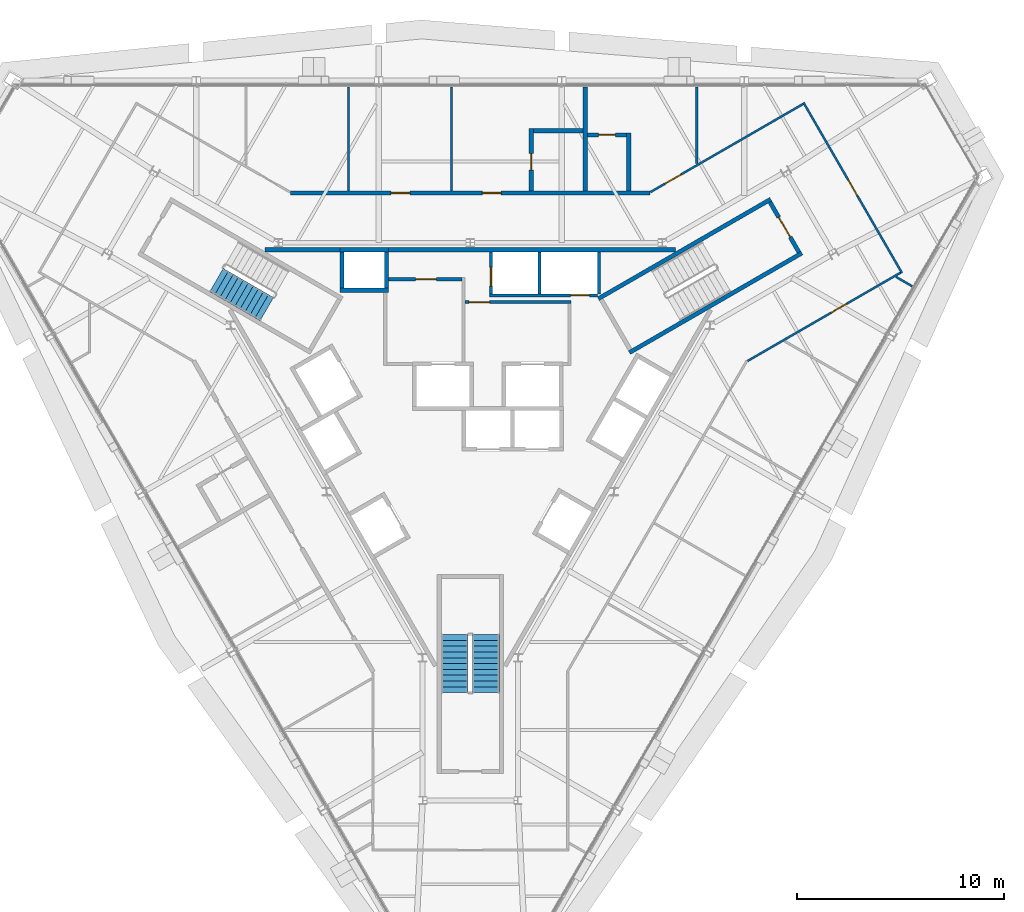
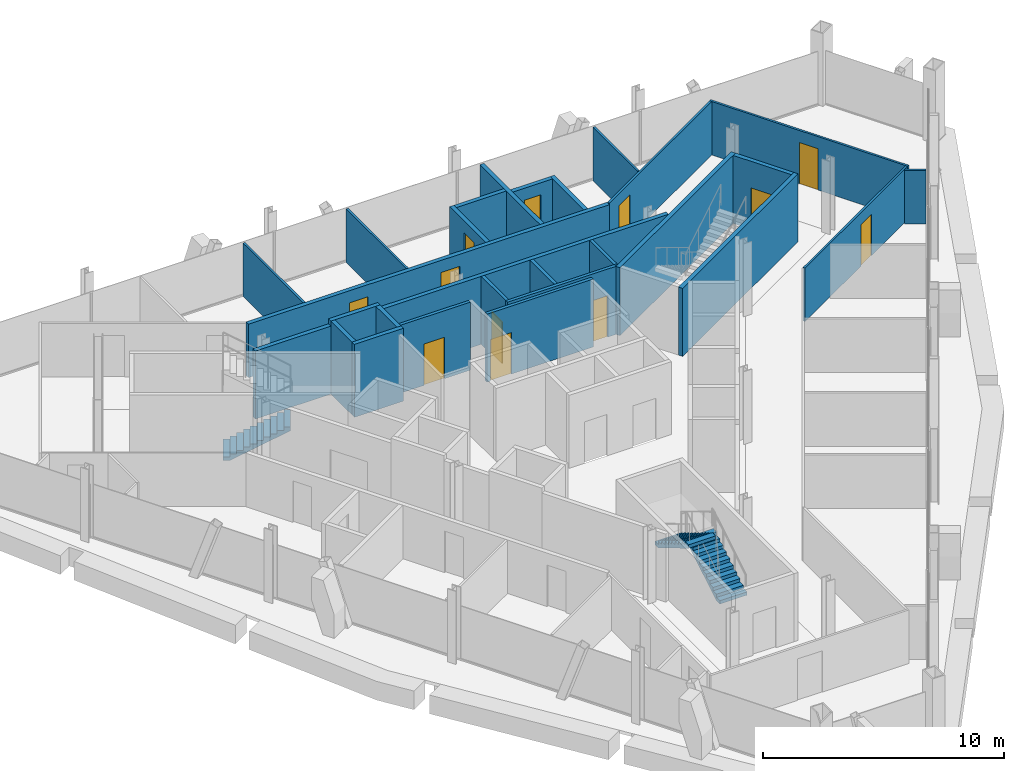
# One storey, part 11 of 14: 28 walls, 12 doors, 3 stair flights, 12 openings, 2 elements without a shape of their own.
"""IFC4 building model written with IfcOpenShell, lengths in metres."""

from ifc_helpers import new_model, si_unit, direction, frame, frame_2d, origin, place, context, subcontext, project, spatial, polyline, rectangle, outline, extrude, material, layer, layer_set, type_object, element, fill, aggregate, save


model = new_model("IFC4")

# Units and contexts
model_context = context("Model", 3, precision=1e-05, world=origin(), true_north=direction((0.0, 1.0)))
body_context = subcontext(model_context, "Body", "Model", "MODEL_VIEW")
ifc_project = project(units=[si_unit("LENGTHUNIT", "METRE"), si_unit("AREAUNIT", "SQUARE_METRE"), si_unit("VOLUMEUNIT", "CUBIC_METRE"), si_unit("PLANEANGLEUNIT", "RADIAN"), si_unit("MASSUNIT", "GRAM", prefix="KILO")], contexts=[model_context])

# Site, building, storey
site_placement = place(None, origin())
site = spatial("IfcSite", under=ifc_project, at=site_placement, CompositionType="ELEMENT")
building_placement = place(site_placement, origin())
building = spatial("IfcBuilding", under=site, at=building_placement, Name="Verrane Prism Tower", CompositionType="ELEMENT")
storey_placement = place(building_placement, frame((0.0, 0.0, 221.199951171875)))
storey = spatial("IfcBuildingStorey", under=building, at=storey_placement, Name="L55", CompositionType="ELEMENT", Elevation=221.199951171875)

# Walls
ifc_material_1 = material(Name="Gypsum board partition", Category="other")
ifc_layer_1 = layer(ifc_material_1, 0.199951171875)
ifc_layer_set_1 = layer_set([ifc_layer_1], Name="CW-200 core boundary wall 2 h")
wall_type_1 = type_object("IfcWallType", Name="CW-200 core boundary wall 2 h", PredefinedType="PARTITIONING", material=ifc_layer_set_1)
wall_1_placement = place(storey_placement, frame((-9.907958984375, 7.659912109375, 0.0), z_axis=(0.0, 0.0, 1.0), x_axis=(1.0, 0.0, 0.0)))
element("IfcWall", 1, at=wall_1_placement, inside=storey, type_object=wall_type_1, Name="Core boundary wall CW3-002", PredefinedType="PARTITIONING", context=body_context, shape_type="SweptSolid", body=[
    extrude(rectangle(XDim=3.620849609375, YDim=0.199951171875, at=frame_2d((1.810546875, 0.0))), origin(), (0.0, 0.0, 1.0), 3.449951171875),
])
wall_2_placement = place(storey_placement, frame((-3.93310546875, 7.659912109375, 0.0), z_axis=(0.0, 0.0, 1.0), x_axis=(1.0, 0.0, 0.0)))
element("IfcWall", 2, at=wall_2_placement, inside=storey, type_object=wall_type_1, Name="Core boundary wall CW3-005", PredefinedType="PARTITIONING", context=body_context, shape_type="SweptSolid", body=[
    extrude(rectangle(XDim=13.841064453125, YDim=0.199951171875, at=frame_2d((6.92041015625, 0.0))), origin(), (0.0, 0.0, 1.0), 3.449951171875),
])

# Wall, opening, door
ifc_material_2 = material(Name="Concrete C40/50", Category="concrete")
ifc_layer_2 = layer(ifc_material_2, 0.199951171875)
ifc_layer_set_2 = layer_set([ifc_layer_2], Name="CW-200 stair core wall concrete C40/50 3 h")
wall_type_2 = type_object("IfcWallType", Name="CW-200 stair core wall concrete C40/50 3 h", PredefinedType="PARTITIONING", material=ifc_layer_set_2)
wall_3_placement = place(storey_placement, frame((15.85546875, 7.53759765625, 0.0), z_axis=(0.0, 0.0, 1.0), x_axis=(-0.500049511043, 0.865996816683, 0.0)))
wall_3 = element("IfcWall", 3, at=wall_3_placement, inside=storey, type_object=wall_type_2, Name="Stair 1 enclosure wall", PredefinedType="PARTITIONING", context=body_context, shape_type="SweptSolid", body=[
    extrude(rectangle(XDim=2.800048828125, YDim=0.199951171875, at=frame_2d((1.39990234375, 0.0))), origin(), (0.0, 0.0, 1.0), 3.449951171875),
])
opening_1_placement = place(wall_3_placement, frame((0.849853515625, 0.0, 0.0)))
opening_1 = element("IfcOpeningElement", 4, at=opening_1_placement, cuts=wall_3, Name="Opening D54500", PredefinedType="OPENING", context=body_context, shape_type="SweptSolid", body=[
    extrude(rectangle(XDim=1.10009765625, YDim=2.10009765625, at=frame_2d((0.550048828125, 1.050048828125))), frame((0.0, 0.10986328125, 0.0), z_axis=(0.0, -1.0, 0.0), x_axis=(1.0, 0.0, 0.0)), (0.0, 0.0, 1.0), 0.219970703125),
])
ifc_material_3 = material(Name="Timber veneered door leaf", Category="wood")
door_type_1 = type_object("IfcDoorType", Name="DR-1100x2100 FD90 single leaf stair", OperationType="NOTDEFINED", PredefinedType="DOOR", material=ifc_material_3)
door_1_placement = place(opening_1_placement, origin())
door_1 = element("IfcDoor", 5, at=door_1_placement, inside=storey, type_object=door_type_1, Name="Stair 1 door", OperationType="SINGLE_SWING_LEFT", OverallHeight=2.10009765625, OverallWidth=1.10009765625, PredefinedType="DOOR", context=body_context, shape_type="SweptSolid", body=[
    extrude(rectangle(XDim=1.10009765625, YDim=2.10009765625, at=frame_2d((0.550048828125, 1.050048828125))), frame((0.0, 0.02490234375, 0.0), z_axis=(0.0, -1.0, 0.0), x_axis=(1.0, 0.0, 0.0)), (0.0, 0.0, 1.0), 0.050048828125),
])
fill(opening_1, door_1)

# Walls
for number, where, z_axis, x_axis, name in (
    (6, (6.17822265625, 5.299072265625, 0.0), (0.0, 0.0, 1.0), (0.866019993635, 0.500009370536, 0.0), "Stair 1 enclosure wall"),
    (7, (7.67822265625, 2.700927734375, 0.0), (0.0, 0.0, 1.0), (0.866019993635, 0.500009370536, 0.0), "Stair 1 enclosure wall"),
):
    element("IfcWall", number, at=place(storey_placement, frame(where, z_axis=z_axis, x_axis=x_axis)), inside=storey, type_object=wall_type_2, Name=name, PredefinedType="PARTITIONING", context=body_context, shape_type="SweptSolid", body=[
        extrude(rectangle(XDim=9.599853515625, YDim=0.199951171875, at=frame_2d((4.7998046875, 0.0))), origin(), (0.0, 0.0, 1.0), 3.449951171875),
    ])
ifc_material_4 = material(Name="Gypsum board shaft wall assembly", Category="other")
ifc_layer_3 = layer(ifc_material_4, 0.199951171875)
ifc_layer_set_3 = layer_set([ifc_layer_3], Name="HW-200 lift shaft wall 2 h")
wall_type_3 = type_object("IfcWallType", Name="HW-200 lift shaft wall 2 h", PredefinedType="PARTITIONING", material=ifc_layer_set_3)
for number, where, z_axis, x_axis, name in (
    (8, (-6.284912109375, 5.7099609375, 0.0), (0.0, 0.0, 1.0), (1.0, 0.0, 0.0), "Lift shaft wall"),
    (9, (-6.284912109375, 7.659912109375, 0.0), (0.0, 0.0, 1.0), (1.0, 0.0, 0.0), "Lift shaft wall"),
):
    element("IfcWall", number, at=place(storey_placement, frame(where, z_axis=z_axis, x_axis=x_axis)), inside=storey, type_object=wall_type_3, Name=name, PredefinedType="PARTITIONING", context=body_context, shape_type="SweptSolid", body=[
        extrude(rectangle(XDim=2.349853515625, YDim=0.199951171875, at=frame_2d((1.1748046875, 0.0))), origin(), (0.0, 0.0, 1.0), 3.699951171875),
    ])
for number, where, z_axis, x_axis, name in (
    (10, (-4.034912109375, 5.81005859375, 0.0), (0.0, 0.0, 1.0), (0.0, 1.0, 0.0), "Lift shaft wall"),
    (11, (-6.18505859375, 5.81005859375, 0.0), (0.0, 0.0, 1.0), (0.0, 1.0, 0.0), "Lift shaft wall"),
):
    element("IfcWall", number, at=place(storey_placement, frame(where, z_axis=z_axis, x_axis=x_axis)), inside=storey, type_object=wall_type_3, Name=name, PredefinedType="PARTITIONING", context=body_context, shape_type="SweptSolid", body=[
        extrude(rectangle(XDim=1.75, YDim=0.199951171875, at=frame_2d((0.875, 0.0))), origin(), (0.0, 0.0, 1.0), 3.699951171875),
    ])

# Wall, opening, door
ifc_material_5 = material(Name="Gypsum board partition", Category="other")
ifc_layer_4 = layer(ifc_material_5, 0.14990234375)
ifc_layer_set_4 = layer_set([ifc_layer_4], Name="LF-150 firefighting lobby wall 1 h")
wall_type_4 = type_object("IfcWallType", Name="LF-150 firefighting lobby wall 1 h", PredefinedType="PARTITIONING", material=ifc_layer_set_4)
wall_4_placement = place(storey_placement, frame((-3.93310546875, 6.239990234375, 0.0), z_axis=(0.0, 0.0, 1.0), x_axis=(1.0, 0.0, 0.0)))
wall_4 = element("IfcWall", 12, at=wall_4_placement, inside=storey, type_object=wall_type_4, Name="Firefighting lobby wall LF1-003", PredefinedType="PARTITIONING", context=body_context, shape_type="SweptSolid", body=[
    extrude(rectangle(XDim=3.5380859375, YDim=0.14990234375, at=frame_2d((1.76904296875, 0.0))), origin(), (0.0, 0.0, 1.0), 3.449951171875),
])
opening_2_placement = place(wall_4_placement, frame((1.300048828125, 0.0, 0.0)))
opening_2 = element("IfcOpeningElement", 13, at=opening_2_placement, cuts=wall_4, Name="Opening D54511", PredefinedType="OPENING", context=body_context, shape_type="SweptSolid", body=[
    extrude(rectangle(XDim=1.0, YDim=2.10009765625, at=frame_2d((0.5, 1.050048828125))), frame((0.0, 0.0849609375, 0.0), z_axis=(0.0, -1.0, 0.0), x_axis=(1.0, 0.0, 0.0)), (0.0, 0.0, 1.0), 0.169921875),
])
ifc_material_6 = material(Name="Timber veneered door leaf", Category="wood")
door_type_2 = type_object("IfcDoorType", Name="DR-1000x2100 FD60 single leaf firefighting lobby", OperationType="NOTDEFINED", PredefinedType="DOOR", material=ifc_material_6)
door_2_placement = place(opening_2_placement, origin())
door_2 = element("IfcDoor", 14, at=door_2_placement, inside=storey, type_object=door_type_2, Name="Firefighting lobby door D54511", OperationType="SINGLE_SWING_LEFT", OverallHeight=2.10009765625, OverallWidth=1.0, PredefinedType="DOOR", context=body_context, shape_type="SweptSolid", body=[
    extrude(rectangle(XDim=1.0, YDim=2.10009765625, at=frame_2d((0.5, 1.050048828125))), frame((0.0, 0.02490234375, 0.0), z_axis=(0.0, -1.0, 0.0), x_axis=(1.0, 0.0, 0.0)), (0.0, 0.0, 1.0), 0.050048828125),
])
fill(opening_2, door_2)

wall_5_placement = place(storey_placement, frame((-0.2451171875, 5.139892578125, 0.0), z_axis=(0.0, 0.0, 1.0), x_axis=(1.0, 0.0, 0.0)))
wall_5 = element("IfcWall", 15, at=wall_5_placement, inside=storey, type_object=wall_type_4, Name="Firefighting lobby wall LF1-005", PredefinedType="PARTITIONING", context=body_context, shape_type="SweptSolid", body=[
    extrude(rectangle(XDim=5.110107421875, YDim=0.14990234375, at=frame_2d((2.55517578125, 0.0))), origin(), (0.0, 0.0, 1.0), 3.449951171875),
])
opening_3_placement = place(wall_5_placement, frame((0.175048828125, 0.0, 0.0)))
opening_3 = element("IfcOpeningElement", 16, at=opening_3_placement, cuts=wall_5, Name="Opening D54512", PredefinedType="OPENING", context=body_context, shape_type="SweptSolid", body=[
    extrude(rectangle(XDim=1.0, YDim=2.10009765625, at=frame_2d((0.5, 1.050048828125))), frame((0.0, 0.0849609375, 0.0), z_axis=(0.0, -1.0, 0.0), x_axis=(1.0, 0.0, 0.0)), (0.0, 0.0, 1.0), 0.169921875),
])
door_3_placement = place(opening_3_placement, origin())
door_3 = element("IfcDoor", 17, at=door_3_placement, inside=storey, type_object=door_type_2, Name="Firefighting lobby door D54512", OperationType="SINGLE_SWING_LEFT", OverallHeight=2.10009765625, OverallWidth=1.0, PredefinedType="DOOR", context=body_context, shape_type="SweptSolid", body=[
    extrude(rectangle(XDim=1.0, YDim=2.10009765625, at=frame_2d((0.5, 1.050048828125))), frame((0.0, 0.02490234375, 0.0), z_axis=(0.0, -1.0, 0.0), x_axis=(1.0, 0.0, 0.0)), (0.0, 0.0, 1.0), 0.050048828125),
])
fill(opening_3, door_3)

# Walls
ifc_material_7 = material(Name="Gypsum board partition", Category="other")
ifc_layer_5 = layer(ifc_material_7, 0.10009765625)
ifc_layer_set_5 = layer_set([ifc_layer_5], Name="PW-100 room partition")
wall_type_5 = type_object("IfcWallType", Name="PW-100 room partition", PredefinedType="PARTITIONING", material=ifc_layer_set_5)
for number, where, z_axis, x_axis, name in (
    (18, (-5.865966796875, 10.5, 0.0), (0.0, 0.0, 1.0), (0.0, 1.0, 0.0), "Room partition 016"),
    (19, (-0.9150390625, 10.5, 0.0), (0.0, 0.0, 1.0), (0.0, 1.0, 0.0), "Room partition 022"),
):
    element("IfcWall", number, at=place(storey_placement, frame(where, z_axis=z_axis, x_axis=x_axis)), inside=storey, type_object=wall_type_5, Name=name, PredefinedType="PARTITIONING", context=body_context, shape_type="SweptSolid", body=[
        extrude(rectangle(XDim=5.006103515625, YDim=0.10009765625, at=frame_2d((2.5029296875, 0.0))), origin(), (0.0, 0.0, 1.0), 2.713134765625),
    ])

# Wall, opening, door
wall_6_placement = place(storey_placement, frame((8.690673828125, 10.4423828125, 0.0), z_axis=(0.0, 0.0, 1.0), x_axis=(0.866070360466, 0.499922124658, 0.0)))
wall_6 = element("IfcWall", 20, at=wall_6_placement, inside=storey, type_object=wall_type_5, Name="Room partition 032", PredefinedType="PARTITIONING", context=body_context, shape_type="SweptSolid", body=[
    extrude(rectangle(XDim=8.502685546875, YDim=0.10009765625, at=frame_2d((4.25146484375, 0.0))), origin(), (0.0, 0.0, 1.0), 2.713134765625),
])
opening_4_placement = place(wall_6_placement, frame((0.81494140625, 0.0, 0.0)))
opening_4 = element("IfcOpeningElement", 21, at=opening_4_placement, cuts=wall_6, Name="Opening D54007", PredefinedType="OPENING", context=body_context, shape_type="SweptSolid", body=[
    extrude(rectangle(XDim=0.89990234375, YDim=2.10009765625, at=frame_2d((0.449951171875, 1.050048828125))), frame((0.0, 0.06005859375, 0.0), z_axis=(0.0, -1.0, 0.0), x_axis=(1.0, 0.0, 0.0)), (0.0, 0.0, 1.0), 0.1201171875),
])
ifc_material_8 = material(Name="Timber veneered door leaf", Category="wood")
door_type_3 = type_object("IfcDoorType", Name="DR-900x2100 single leaf inner", OperationType="NOTDEFINED", PredefinedType="DOOR", material=ifc_material_8)
door_4_placement = place(opening_4_placement, origin())
door_4 = element("IfcDoor", 22, at=door_4_placement, inside=storey, type_object=door_type_3, Name="Bedroom door", OperationType="SINGLE_SWING_LEFT", OverallHeight=2.10009765625, OverallWidth=0.89990234375, PredefinedType="DOOR", context=body_context, shape_type="SweptSolid", body=[
    extrude(rectangle(XDim=0.89990234375, YDim=2.10009765625, at=frame_2d((0.449951171875, 1.050048828125))), frame((0.0, 0.02490234375, 0.0), z_axis=(0.0, -1.0, 0.0), x_axis=(1.0, 0.0, 0.0)), (0.0, 0.0, 1.0), 0.050048828125),
])
fill(opening_4, door_4)

# Wall
wall_7_placement = place(storey_placement, frame((10.925048828125, 11.818603515625, 0.0), z_axis=(0.0, 0.0, 1.0), x_axis=(0.0, 1.0, 0.0)))
element("IfcWall", 23, at=wall_7_placement, inside=storey, type_object=wall_type_5, Name="Room partition 034", PredefinedType="PARTITIONING", context=body_context, shape_type="SweptSolid", body=[
    extrude(rectangle(XDim=3.6875, YDim=0.10009765625, at=frame_2d((1.84375, 0.0))), origin(), (0.0, 0.0, 1.0), 2.713134765625),
])

# Wall, opening, door
wall_8_placement = place(storey_placement, frame((20.755615234375, 6.556884765625, 0.0), z_axis=(0.0, 0.0, 1.0), x_axis=(-0.866069146081, -0.499924228466, 0.0)))
wall_8 = element("IfcWall", 24, at=wall_8_placement, inside=storey, type_object=wall_type_5, Name="Room partition 036", PredefinedType="PARTITIONING", context=body_context, shape_type="SweptSolid", body=[
    extrude(rectangle(XDim=8.518798828125, YDim=0.10009765625, at=frame_2d((4.25927734375, 0.0))), origin(), (0.0, 0.0, 1.0), 2.713134765625),
])
opening_5_placement = place(wall_8_placement, frame((2.986083984375, 0.0, 0.0)))
opening_5 = element("IfcOpeningElement", 25, at=opening_5_placement, cuts=wall_8, Name="Opening D54005", PredefinedType="OPENING", context=body_context, shape_type="SweptSolid", body=[
    extrude(rectangle(XDim=0.89990234375, YDim=2.10009765625, at=frame_2d((0.449951171875, 1.050048828125))), frame((0.0, 0.06005859375, 0.0), z_axis=(0.0, -1.0, 0.0), x_axis=(1.0, 0.0, 0.0)), (0.0, 0.0, 1.0), 0.1201171875),
])
ifc_material_9 = material(Name="Timber veneered door leaf", Category="wood")
door_type_4 = type_object("IfcDoorType", Name="DR-900x2100 single leaf unit", OperationType="NOTDEFINED", PredefinedType="DOOR", material=ifc_material_9)
door_5_placement = place(opening_5_placement, origin())
door_5 = element("IfcDoor", 26, at=door_5_placement, inside=storey, type_object=door_type_4, Name="Study door", OperationType="SINGLE_SWING_RIGHT", OverallHeight=2.10009765625, OverallWidth=0.89990234375, PredefinedType="DOOR", context=body_context, shape_type="SweptSolid", body=[
    extrude(rectangle(XDim=0.89990234375, YDim=2.10009765625, at=frame_2d((0.449951171875, 1.050048828125))), frame((0.0, 0.02490234375, 0.0), z_axis=(0.0, -1.0, 0.0), x_axis=(1.0, 0.0, 0.0)), (0.0, 0.0, 1.0), 0.050048828125),
])
fill(opening_5, door_5)

wall_9_placement = place(storey_placement, frame((16.072998046875, 14.76123046875, 0.0), z_axis=(0.0, 0.0, 1.0), x_axis=(0.500297300687, -0.865853689098, 0.0)))
wall_9 = element("IfcWall", 27, at=wall_9_placement, inside=storey, type_object=wall_type_5, Name="Room partition 038", PredefinedType="PARTITIONING", context=body_context, shape_type="SweptSolid", body=[
    extrude(rectangle(XDim=9.496337890625, YDim=0.10009765625, at=frame_2d((4.748046875, 0.0))), origin(), (0.0, 0.0, 1.0), 2.713134765625),
])
opening_6_placement = place(wall_9_placement, frame((4.300048828125, 0.0, 0.0)))
opening_6 = element("IfcOpeningElement", 28, at=opening_6_placement, cuts=wall_9, Name="Opening D54006", PredefinedType="OPENING", context=body_context, shape_type="SweptSolid", body=[
    extrude(rectangle(XDim=0.89990234375, YDim=2.10009765625, at=frame_2d((0.449951171875, 1.050048828125))), frame((0.0, 0.06005859375, 0.0), z_axis=(0.0, -1.0, 0.0), x_axis=(1.0, 0.0, 0.0)), (0.0, 0.0, 1.0), 0.1201171875),
])
door_6_placement = place(opening_6_placement, origin())
door_6 = element("IfcDoor", 29, at=door_6_placement, inside=storey, type_object=door_type_4, Name="Kitchen door", OperationType="SINGLE_SWING_RIGHT", OverallHeight=2.10009765625, OverallWidth=0.89990234375, PredefinedType="DOOR", context=body_context, shape_type="SweptSolid", body=[
    extrude(rectangle(XDim=0.89990234375, YDim=2.10009765625, at=frame_2d((0.449951171875, 1.050048828125))), frame((0.0, 0.02490234375, 0.0), z_axis=(0.0, -1.0, 0.0), x_axis=(1.0, 0.0, 0.0)), (0.0, 0.0, 1.0), 0.050048828125),
])
fill(opening_6, door_6)

# Wall
wall_10_placement = place(storey_placement, frame((20.54296875, 6.34765625, 0.0), z_axis=(0.0, 0.0, 1.0), x_axis=(0.865952303503, -0.500126592033, 0.0)))
element("IfcWall", 30, at=wall_10_placement, inside=storey, type_object=wall_type_5, Name="Room partition 039", PredefinedType="PARTITIONING", context=body_context, shape_type="SweptSolid", body=[
    extrude(rectangle(XDim=0.888916015625, YDim=0.10009765625, at=frame_2d((0.4443359375, 0.0))), origin(), (0.0, 0.0, 1.0), 2.713134765625),
])

# Wall, openings, doors
ifc_material_10 = material(Name="Gypsum board partition", Category="other")
ifc_layer_6 = layer(ifc_material_10, 0.199951171875)
ifc_layer_set_6 = layer_set([ifc_layer_6], Name="PW-200 plumbing wall")
wall_type_6 = type_object("IfcWallType", Name="PW-200 plumbing wall", PredefinedType="PARTITIONING", material=ifc_layer_set_6)
wall_11_placement = place(storey_placement, frame((-8.6669921875, 10.39990234375, 0.0), z_axis=(0.0, 0.0, 1.0), x_axis=(1.0, 0.0, 0.0)))
wall_11 = element("IfcWall", 31, at=wall_11_placement, inside=storey, type_object=wall_type_6, Name="Plumbing wall 014", PredefinedType="PARTITIONING", context=body_context, shape_type="SweptSolid", body=[
    extrude(rectangle(XDim=17.333984375, YDim=0.199951171875, at=frame_2d((8.6669921875, 0.0))), origin(), (0.0, 0.0, 1.0), 2.713134765625),
])
opening_7_placement = place(wall_11_placement, frame((9.251953125, 0.0, 0.0)))
opening_7 = element("IfcOpeningElement", 32, at=opening_7_placement, cuts=wall_11, Name="Opening D54009", PredefinedType="OPENING", context=body_context, shape_type="SweptSolid", body=[
    extrude(rectangle(XDim=0.89990234375, YDim=2.10009765625, at=frame_2d((0.449951171875, 1.050048828125))), frame((0.0, 0.10986328125, 0.0), z_axis=(0.0, -1.0, 0.0), x_axis=(1.0, 0.0, 0.0)), (0.0, 0.0, 1.0), 0.219970703125),
])
opening_8_placement = place(wall_11_placement, frame((4.85107421875, 0.0, 0.0)))
opening_8 = element("IfcOpeningElement", 33, at=opening_8_placement, cuts=wall_11, Name="Opening D54011", PredefinedType="OPENING", context=body_context, shape_type="SweptSolid", body=[
    extrude(rectangle(XDim=0.89990234375, YDim=2.10009765625, at=frame_2d((0.449951171875, 1.050048828125))), frame((0.0, 0.10986328125, 0.0), z_axis=(0.0, -1.0, 0.0), x_axis=(1.0, 0.0, 0.0)), (0.0, 0.0, 1.0), 0.219970703125),
])
door_7_placement = place(opening_7_placement, origin())
door_7 = element("IfcDoor", 34, at=door_7_placement, inside=storey, type_object=door_type_3, Name="Master Bedroom door", OperationType="SINGLE_SWING_LEFT", OverallHeight=2.10009765625, OverallWidth=0.89990234375, PredefinedType="DOOR", context=body_context, shape_type="SweptSolid", body=[
    extrude(rectangle(XDim=0.89990234375, YDim=2.10009765625, at=frame_2d((0.449951171875, 1.050048828125))), frame((0.0, 0.02490234375, 0.0), z_axis=(0.0, -1.0, 0.0), x_axis=(1.0, 0.0, 0.0)), (0.0, 0.0, 1.0), 0.050048828125),
])
fill(opening_7, door_7)
door_8_placement = place(opening_8_placement, origin())
door_8 = element("IfcDoor", 35, at=door_8_placement, inside=storey, type_object=door_type_4, Name="Utility Room door", OperationType="SINGLE_SWING_LEFT", OverallHeight=2.10009765625, OverallWidth=0.89990234375, PredefinedType="DOOR", context=body_context, shape_type="SweptSolid", body=[
    extrude(rectangle(XDim=0.89990234375, YDim=2.10009765625, at=frame_2d((0.449951171875, 1.050048828125))), frame((0.0, 0.02490234375, 0.0), z_axis=(0.0, -1.0, 0.0), x_axis=(1.0, 0.0, 0.0)), (0.0, 0.0, 1.0), 0.050048828125),
])
fill(opening_8, door_8)

# Wall, opening, door
wall_12_placement = place(storey_placement, frame((2.943115234375, 13.5, 0.0), z_axis=(0.0, 0.0, 1.0), x_axis=(0.0, -1.0, 0.0)))
wall_12 = element("IfcWall", 36, at=wall_12_placement, inside=storey, type_object=wall_type_6, Name="Plumbing wall 023", PredefinedType="PARTITIONING", context=body_context, shape_type="SweptSolid", body=[
    extrude(rectangle(XDim=3.0, YDim=0.199951171875, at=frame_2d((1.5, 0.0))), origin(), (0.0, 0.0, 1.0), 2.713134765625),
])
opening_9_placement = place(wall_12_placement, frame((1.199951171875, 0.0, 0.0)))
opening_9 = element("IfcOpeningElement", 37, at=opening_9_placement, cuts=wall_12, Name="Opening D54010", PredefinedType="OPENING", context=body_context, shape_type="SweptSolid", body=[
    extrude(rectangle(XDim=0.800048828125, YDim=2.10009765625, at=frame_2d((0.39990234375, 1.050048828125))), frame((0.0, 0.10986328125, 0.0), z_axis=(0.0, -1.0, 0.0), x_axis=(1.0, 0.0, 0.0)), (0.0, 0.0, 1.0), 0.219970703125),
])
ifc_material_11 = material(Name="Timber veneered door leaf", Category="wood")
door_type_5 = type_object("IfcDoorType", Name="DR-800x2100 single leaf bath", OperationType="NOTDEFINED", PredefinedType="DOOR", material=ifc_material_11)
door_9_placement = place(opening_9_placement, origin())
door_9 = element("IfcDoor", 38, at=door_9_placement, inside=storey, type_object=door_type_5, Name="Master Bathroom door", OperationType="SINGLE_SWING_LEFT", OverallHeight=2.10009765625, OverallWidth=0.800048828125, PredefinedType="DOOR", context=body_context, shape_type="SweptSolid", body=[
    extrude(rectangle(XDim=0.800048828125, YDim=2.10009765625, at=frame_2d((0.39990234375, 1.050048828125))), frame((0.0, 0.02490234375, 0.0), z_axis=(0.0, -1.0, 0.0), x_axis=(1.0, 0.0, 0.0)), (0.0, 0.0, 1.0), 0.050048828125),
])
fill(opening_9, door_9)

# Walls
wall_13_placement = place(storey_placement, frame((3.04296875, 13.39990234375, 0.0), z_axis=(0.0, 0.0, 1.0), x_axis=(1.0, 0.0, 0.0)))
element("IfcWall", 39, at=wall_13_placement, inside=storey, type_object=wall_type_6, Name="Plumbing wall 024", PredefinedType="PARTITIONING", context=body_context, shape_type="SweptSolid", body=[
    extrude(rectangle(XDim=2.400146484375, YDim=0.199951171875, at=frame_2d((1.2001953125, 0.0))), origin(), (0.0, 0.0, 1.0), 2.713134765625),
])
wall_14_placement = place(storey_placement, frame((5.54296875, 10.5, 0.0), z_axis=(0.0, 0.0, 1.0), x_axis=(0.0, 1.0, 0.0)))
element("IfcWall", 40, at=wall_14_placement, inside=storey, type_object=wall_type_6, Name="Plumbing wall 028", PredefinedType="PARTITIONING", context=body_context, shape_type="SweptSolid", body=[
    extrude(rectangle(XDim=5.006103515625, YDim=0.199951171875, at=frame_2d((2.5029296875, 0.0))), origin(), (0.0, 0.0, 1.0), 2.713134765625),
])

# Wall, opening, door
wall_15_placement = place(storey_placement, frame((7.54296875, 13.199951171875, 0.0), z_axis=(0.0, 0.0, 1.0), x_axis=(-1.0, 0.0, 0.0)))
wall_15 = element("IfcWall", 41, at=wall_15_placement, inside=storey, type_object=wall_type_6, Name="Plumbing wall 029", PredefinedType="PARTITIONING", context=body_context, shape_type="SweptSolid", body=[
    extrude(rectangle(XDim=1.89990234375, YDim=0.199951171875, at=frame_2d((0.949951171875, 0.0))), origin(), (0.0, 0.0, 1.0), 2.713134765625),
])
opening_10_placement = place(wall_15_placement, frame((0.550048828125, 0.0, 0.0)))
opening_10 = element("IfcOpeningElement", 42, at=opening_10_placement, cuts=wall_15, Name="Opening D54008", PredefinedType="OPENING", context=body_context, shape_type="SweptSolid", body=[
    extrude(rectangle(XDim=0.800048828125, YDim=2.10009765625, at=frame_2d((0.39990234375, 1.050048828125))), frame((0.0, 0.10986328125, 0.0), z_axis=(0.0, -1.0, 0.0), x_axis=(1.0, 0.0, 0.0)), (0.0, 0.0, 1.0), 0.219970703125),
])
door_10_placement = place(opening_10_placement, origin())
door_10 = element("IfcDoor", 43, at=door_10_placement, inside=storey, type_object=door_type_5, Name="Bathroom door", OperationType="SINGLE_SWING_LEFT", OverallHeight=2.10009765625, OverallWidth=0.800048828125, PredefinedType="DOOR", context=body_context, shape_type="SweptSolid", body=[
    extrude(rectangle(XDim=0.800048828125, YDim=2.10009765625, at=frame_2d((0.39990234375, 1.050048828125))), frame((0.0, 0.02490234375, 0.0), z_axis=(0.0, -1.0, 0.0), x_axis=(1.0, 0.0, 0.0)), (0.0, 0.0, 1.0), 0.050048828125),
])
fill(opening_10, door_10)

# Wall
wall_16_placement = place(storey_placement, frame((7.64306640625, 10.5, 0.0), z_axis=(0.0, 0.0, 1.0), x_axis=(0.0, 1.0, 0.0)))
element("IfcWall", 44, at=wall_16_placement, inside=storey, type_object=wall_type_6, Name="Plumbing wall 031", PredefinedType="PARTITIONING", context=body_context, shape_type="SweptSolid", body=[
    extrude(rectangle(XDim=2.800048828125, YDim=0.199951171875, at=frame_2d((1.39990234375, 0.0))), origin(), (0.0, 0.0, 1.0), 2.713134765625),
])

# Wall, opening, door
ifc_material_12 = material(Name="Gypsum board partition", Category="other")
ifc_layer_7 = layer(ifc_material_12, 0.14990234375)
ifc_layer_set_7 = layer_set([ifc_layer_7], Name="RS-150 riser enclosure wall 1 h")
wall_type_7 = type_object("IfcWallType", Name="RS-150 riser enclosure wall 1 h", PredefinedType="PARTITIONING", material=ifc_layer_set_7)
wall_17_placement = place(storey_placement, frame((1.0, 7.56005859375, 0.0), z_axis=(0.0, 0.0, 1.0), x_axis=(0.0, -1.0, 0.0)))
wall_17 = element("IfcWall", 45, at=wall_17_placement, inside=storey, type_object=wall_type_7, Name="Riser wall RS3-001", PredefinedType="PARTITIONING", context=body_context, shape_type="SweptSolid", body=[
    extrude(rectangle(XDim=2.025146484375, YDim=0.14990234375, at=frame_2d((1.0126953125, 0.0))), origin(), (0.0, 0.0, 1.0), 3.449951171875),
])
opening_11_placement = place(wall_17_placement, frame((0.75, 0.0, 0.0)))
opening_11 = element("IfcOpeningElement", 46, at=opening_11_placement, cuts=wall_17, Name="Opening D54513", PredefinedType="OPENING", context=body_context, shape_type="SweptSolid", body=[
    extrude(rectangle(XDim=0.89990234375, YDim=2.10009765625, at=frame_2d((0.449951171875, 1.050048828125))), frame((0.0, 0.0849609375, 0.0), z_axis=(0.0, -1.0, 0.0), x_axis=(1.0, 0.0, 0.0)), (0.0, 0.0, 1.0), 0.169921875),
])
ifc_material_13 = material(Name="Timber veneered door leaf", Category="wood")
door_type_6 = type_object("IfcDoorType", Name="DR-900x2100 FD60 single leaf riser", OperationType="NOTDEFINED", PredefinedType="DOOR", material=ifc_material_13)
door_11_placement = place(opening_11_placement, origin())
door_11 = element("IfcDoor", 47, at=door_11_placement, inside=storey, type_object=door_type_6, Name="Riser door D54513", OperationType="SINGLE_SWING_RIGHT", OverallHeight=2.10009765625, OverallWidth=0.89990234375, PredefinedType="DOOR", context=body_context, shape_type="SweptSolid", body=[
    extrude(rectangle(XDim=0.89990234375, YDim=2.10009765625, at=frame_2d((0.449951171875, 1.050048828125))), frame((0.0, 0.02490234375, 0.0), z_axis=(0.0, -1.0, 0.0), x_axis=(1.0, 0.0, 0.0)), (0.0, 0.0, 1.0), 0.050048828125),
])
fill(opening_11, door_11)

wall_18_placement = place(storey_placement, frame((0.925048828125, 5.4599609375, 0.0), z_axis=(0.0, 0.0, 1.0), x_axis=(1.0, 0.0, 0.0)))
wall_18 = element("IfcWall", 48, at=wall_18_placement, inside=storey, type_object=wall_type_7, Name="Riser wall RS3-002", PredefinedType="PARTITIONING", context=body_context, shape_type="SweptSolid", body=[
    extrude(rectangle(XDim=5.219970703125, YDim=0.14990234375, at=frame_2d((2.60986328125, 0.0))), origin(), (0.0, 0.0, 1.0), 3.449951171875),
])
opening_12_placement = place(wall_18_placement, frame((3.9150390625, 0.0, 0.0)))
opening_12 = element("IfcOpeningElement", 49, at=opening_12_placement, cuts=wall_18, Name="Opening D54514", PredefinedType="OPENING", context=body_context, shape_type="SweptSolid", body=[
    extrude(rectangle(XDim=0.89990234375, YDim=2.10009765625, at=frame_2d((0.449951171875, 1.050048828125))), frame((0.0, 0.0849609375, 0.0), z_axis=(0.0, -1.0, 0.0), x_axis=(1.0, 0.0, 0.0)), (0.0, 0.0, 1.0), 0.169921875),
])
door_12_placement = place(opening_12_placement, origin())
door_12 = element("IfcDoor", 50, at=door_12_placement, inside=storey, type_object=door_type_6, Name="Riser door D54514", OperationType="SINGLE_SWING_RIGHT", OverallHeight=2.10009765625, OverallWidth=0.89990234375, PredefinedType="DOOR", context=body_context, shape_type="SweptSolid", body=[
    extrude(rectangle(XDim=0.89990234375, YDim=2.10009765625, at=frame_2d((0.449951171875, 1.050048828125))), frame((0.0, 0.02490234375, 0.0), z_axis=(0.0, -1.0, 0.0), x_axis=(1.0, 0.0, 0.0)), (0.0, 0.0, 1.0), 0.050048828125),
])
fill(opening_12, door_12)

# Walls
for number, where, z_axis, x_axis, name in (
    (51, (3.340087890625, 5.534912109375, 0.0), (0.0, 0.0, 1.0), (0.0, 1.0, 0.0), "Riser wall RS3-003"),
    (52, (6.199951171875, 5.534912109375, 0.0), (0.0, 0.0, 1.0), (0.0, 1.0, 0.0), "Riser wall RS3-004"),
):
    element("IfcWall", number, at=place(storey_placement, frame(where, z_axis=z_axis, x_axis=x_axis)), inside=storey, type_object=wall_type_7, Name=name, PredefinedType="PARTITIONING", context=body_context, shape_type="SweptSolid", body=[
        extrude(rectangle(XDim=2.025146484375, YDim=0.14990234375, at=frame_2d((1.0126953125, 0.0))), origin(), (0.0, 0.0, 1.0), 3.449951171875),
    ])

# Stair, stair flight
ifc_material_14 = material(Name="Concrete C40/50", Category="concrete")
stair_type = type_object("IfcStairType", Name="Exit stair 1300 dog-leg precast concrete C40/50", PredefinedType="HALF_TURN_STAIR", material=ifc_material_14)
stair_1_placement = place(storey_placement, origin())
stair_1 = element("IfcStair", 53, at=stair_1_placement, inside=storey, type_object=stair_type, Name="Stair 2 L55", PredefinedType="HALF_TURN_STAIR")
ifc_material_15 = material(Name="Concrete C40/50", Category="concrete")
stair_flight_type = type_object("IfcStairFlightType", Name="Stair flight 1300 precast concrete C40/50", PredefinedType="STRAIGHT", material=ifc_material_15)
stair_flight_1_placement = place(storey_placement, frame((-12.239501953125, 6.200439453125, 0.0), z_axis=(0.0, 0.0, 1.0), x_axis=(0.866025403784, -0.5, 0.0)))
stair_flight_1 = element("IfcStairFlight", 54, at=stair_flight_1_placement, type_object=stair_flight_type, Name="Stair 2 flight 1", NumberOfRisers=11, NumberOfTreads=10, PredefinedType="STRAIGHT", RiserHeight=0.168181818, TreadLength=0.28, context=body_context, shape_type="SweptSolid", body=[
    extrude(outline(polyline([(0.0, 0.0), (0.0, 0.168212890625), (0.280029296875, 0.168212890625), (0.280029296875, 0.33642578125), (0.56005859375, 0.33642578125), (0.56005859375, 0.504638671875), (0.840087890625, 0.504638671875), (0.840087890625, 0.672607421875), (1.1201171875, 0.672607421875), (1.1201171875, 0.8408203125), (1.39990234375, 0.8408203125), (1.39990234375, 1.009033203125), (1.679931640625, 1.009033203125), (1.679931640625, 1.17724609375), (1.9599609375, 1.17724609375), (1.9599609375, 1.345458984375), (2.239990234375, 1.345458984375), (2.239990234375, 1.513671875), (2.52001953125, 1.513671875), (2.52001953125, 1.681884765625), (2.800048828125, 1.681884765625), (2.800048828125, 1.85009765625), (2.800048828125, 1.5068359375), (0.291015625, 0.0), (0.0, 0.0)])), frame((0.0, 0.64990234375, 0.0), z_axis=(0.0, -1.0, 0.0), x_axis=(1.0, 0.0, 0.0)), (0.0, 0.0, 1.0), 1.300048828125),
])
aggregate(stair_1, [stair_flight_1])

# Stair, stair flights
stair_2_placement = place(storey_placement, origin())
stair_2 = element("IfcStair", 55, at=stair_2_placement, inside=storey, type_object=stair_type, Name="Stair 3 L55", PredefinedType="HALF_TURN_STAIR")
stair_flight_2_placement = place(storey_placement, frame((0.75, -13.699951171875, 0.0), z_axis=(0.0, 0.0, 1.0), x_axis=(0.0, 1.0, 0.0)))
stair_flight_2 = element("IfcStairFlight", 56, at=stair_flight_2_placement, type_object=stair_flight_type, Name="Stair 3 flight 1", NumberOfRisers=11, NumberOfTreads=10, PredefinedType="STRAIGHT", RiserHeight=0.168181818, TreadLength=0.28, context=body_context, shape_type="SweptSolid", body=[
    extrude(outline(polyline([(0.0, 0.0), (0.0, 0.168212890625), (0.280029296875, 0.168212890625), (0.280029296875, 0.33642578125), (0.56005859375, 0.33642578125), (0.56005859375, 0.504638671875), (0.840087890625, 0.504638671875), (0.840087890625, 0.672607421875), (1.1201171875, 0.672607421875), (1.1201171875, 0.8408203125), (1.39990234375, 0.8408203125), (1.39990234375, 1.009033203125), (1.679931640625, 1.009033203125), (1.679931640625, 1.17724609375), (1.9599609375, 1.17724609375), (1.9599609375, 1.345458984375), (2.239990234375, 1.345458984375), (2.239990234375, 1.513671875), (2.52001953125, 1.513671875), (2.52001953125, 1.681884765625), (2.800048828125, 1.681884765625), (2.800048828125, 1.85009765625), (2.800048828125, 1.5068359375), (0.291015625, 0.0), (0.0, 0.0)])), frame((0.0, 0.64990234375, 0.0), z_axis=(0.0, -1.0, 0.0), x_axis=(1.0, 0.0, 0.0)), (0.0, 0.0, 1.0), 1.300048828125),
])
stair_flight_3_placement = place(storey_placement, frame((-0.75, -10.89990234375, 1.85009765625), z_axis=(0.0, 0.0, 1.0), x_axis=(0.0, -1.0, 0.0)))
stair_flight_3 = element("IfcStairFlight", 57, at=stair_flight_3_placement, type_object=stair_flight_type, Name="Stair 3 flight 2", NumberOfRisers=11, NumberOfTreads=10, PredefinedType="STRAIGHT", RiserHeight=0.168181818, TreadLength=0.28, context=body_context, shape_type="SweptSolid", body=[
    extrude(outline(polyline([(0.0, 0.0), (0.0, 0.168212890625), (0.280029296875, 0.168212890625), (0.280029296875, 0.33642578125), (0.56005859375, 0.33642578125), (0.56005859375, 0.504638671875), (0.840087890625, 0.504638671875), (0.840087890625, 0.672607421875), (1.1201171875, 0.672607421875), (1.1201171875, 0.8408203125), (1.39990234375, 0.8408203125), (1.39990234375, 1.009033203125), (1.679931640625, 1.009033203125), (1.679931640625, 1.17724609375), (1.9599609375, 1.17724609375), (1.9599609375, 1.345458984375), (2.239990234375, 1.345458984375), (2.239990234375, 1.513671875), (2.52001953125, 1.513671875), (2.52001953125, 1.681884765625), (2.800048828125, 1.681884765625), (2.800048828125, 1.85009765625), (2.800048828125, 1.5068359375), (0.291015625, 0.0), (0.0, 0.0)])), frame((0.0, 0.64990234375, 0.0), z_axis=(0.0, -1.0, 0.0), x_axis=(1.0, 0.0, 0.0)), (0.0, 0.0, 1.0), 1.300048828125),
])
aggregate(stair_2, [stair_flight_2, stair_flight_3])

save(model, "model.ifc")
